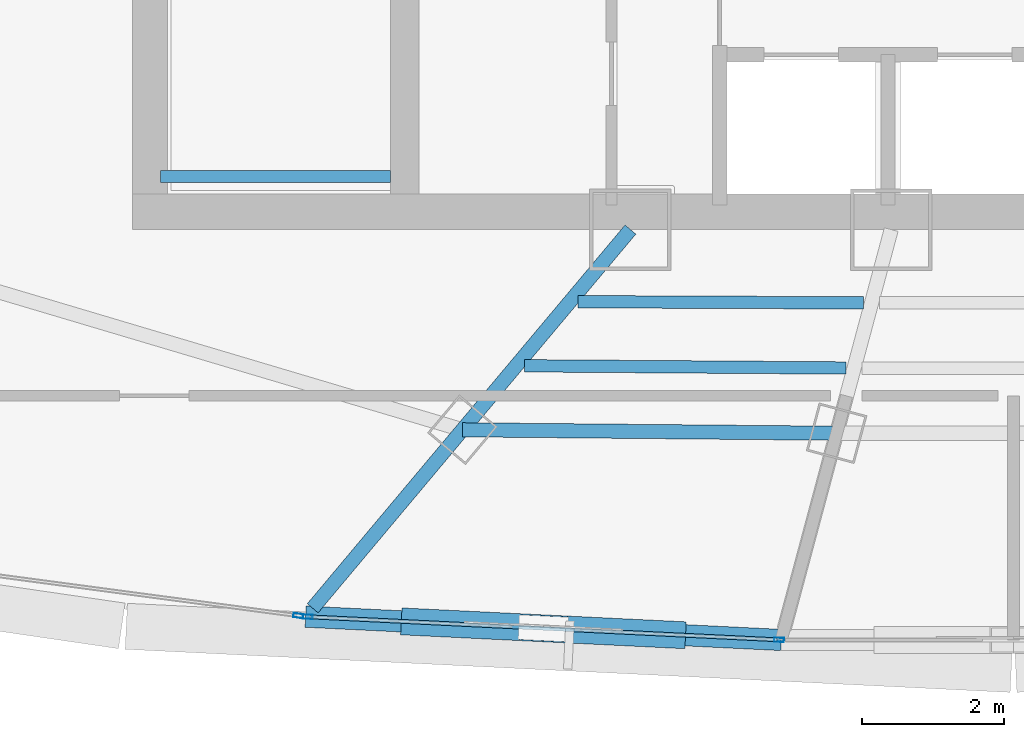
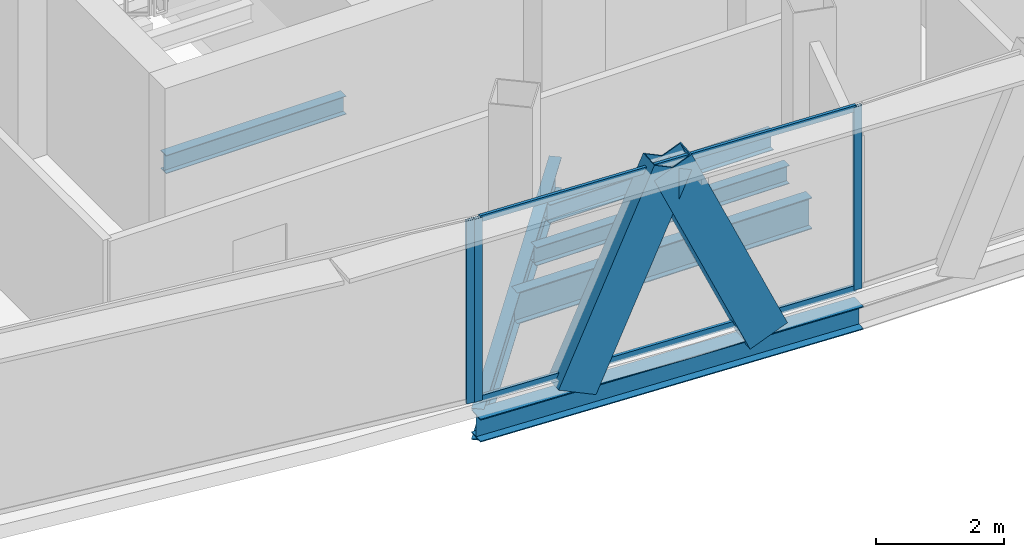
# One storey, part 4 of 26: 7 members, 6 beams, 2 elements without a shape of their own.
"""IFC4 building model written with IfcOpenShell, lengths in metres."""

from ifc_helpers import new_model, si_unit, direction, frame, origin, origin_2d, place, context, subcontext, project, spatial, hollow_rectangle, i_section, extrude, source, transform, mapped, material, layer, layer_set, material_profile, profile_set, type_object, element, aggregate, save


model = new_model("IFC4")

# Units and contexts
model_context = context("Model", 3, precision=1e-05, world=origin(), true_north=direction((0.0, 1.0)))
body_context = subcontext(model_context, "Body", "Model", "MODEL_VIEW")
ifc_project = project(units=[si_unit("LENGTHUNIT", "METRE"), si_unit("AREAUNIT", "SQUARE_METRE"), si_unit("VOLUMEUNIT", "CUBIC_METRE"), si_unit("PLANEANGLEUNIT", "RADIAN"), si_unit("MASSUNIT", "GRAM", prefix="KILO"), si_unit("THERMODYNAMICTEMPERATUREUNIT", "KELVIN"), si_unit("POWERUNIT", "WATT")], contexts=[model_context])

# Site, building, storey
site_placement = place(None, origin())
site = spatial("IfcSite", under=ifc_project, at=site_placement, CompositionType="ELEMENT")
building_placement = place(site_placement, origin())
building = spatial("IfcBuilding", under=site, at=building_placement, Name="Yunzhuo Pagoda Commons", CompositionType="ELEMENT")
storey_placement = place(building_placement, frame((0.0, 0.0, 340.510009765625)))
storey = spatial("IfcBuildingStorey", under=building, at=storey_placement, Name="L85", CompositionType="ELEMENT", Elevation=340.510009765625)

# Beams
ifc_material_1 = material(Name="Structural steel Q355B", Category="steel")
ifc_material_profile_1 = material_profile(ifc_material_1, i_section(OverallWidth=0.175048828125, OverallDepth=0.35009765625, WebThickness=0.007080078125, FlangeThickness=0.010986328125, at=origin_2d()), Name="Structural steel Q355B")
ifc_profile_set_1 = profile_set([ifc_material_profile_1], Name="Structural steel Q355B")
beam_type_1 = type_object("IfcBeamType", Name="B-JS2 Joist HN 350x175x7x11", PredefinedType="JOIST", material=ifc_profile_set_1)
shared_shape_1 = source(origin(), body_context, "Body", "SweptSolid", [
    extrude(i_section(OverallWidth=0.175048828125, OverallDepth=0.35009765625, WebThickness=0.007080078125, FlangeThickness=0.010986328125, at=origin_2d()), origin(), (0.0, 0.0, 1.0), 3.25),
])
beam_1_placement = place(storey_placement, frame((35.949951171875, 28.0, 1.5), z_axis=(1.0, 0.0, 0.0), x_axis=(0.0, 1.0, 0.0)))
element("IfcBeam", 1, at=beam_1_placement, inside=storey, type_object=beam_type_1, Name="L85 ST1 landing support beam 91A", PredefinedType="JOIST", context=body_context, shape_type="MappedRepresentation", body=[
    mapped(shared_shape_1, transform((0.0, 0.0, 0.0), scale=1.0)),
])
ifc_material_profile_2 = material_profile(ifc_material_1, i_section(OverallWidth=0.199951171875, OverallDepth=0.60009765625, WebThickness=0.010986328125, FlangeThickness=0.01708984375, at=origin_2d()), Name="Structural steel Q355B")
ifc_profile_set_2 = profile_set([ifc_material_profile_2], Name="Structural steel Q355B")
beam_type_2 = type_object("IfcBeamType", Name="B-RG3 Beam HN 600x200x11x17", PredefinedType="BEAM", material=ifc_profile_set_2)
shared_shape_2 = source(origin(), body_context, "Body", "SweptSolid", [
    extrude(i_section(OverallWidth=0.199951171875, OverallDepth=0.60009765625, WebThickness=0.010986328125, FlangeThickness=0.01708984375, at=origin_2d()), origin(), (0.0, 0.0, 1.0), 5.286376953125),
])
beam_2_placement = place(storey_placement, frame((40.214599609375, 24.421630859375, -0.56005859375), z_axis=(0.999957341442, -0.009236627946, 0.0), x_axis=(0.009236627946, 0.999957341442, 0.0)))
element("IfcBeam", 2, at=beam_2_placement, inside=storey, type_object=beam_type_2, Name="L85 column-ring beam 1", PredefinedType="BEAM", context=body_context, shape_type="MappedRepresentation", body=[
    mapped(shared_shape_2, transform((0.0, 0.0, 0.0), scale=1.0)),
])
shared_shape_3 = source(origin(), body_context, "Body", "SweptSolid", [
    extrude(i_section(OverallWidth=0.175048828125, OverallDepth=0.35009765625, WebThickness=0.007080078125, FlangeThickness=0.010986328125, at=origin_2d()), origin(), (0.0, 0.0, 1.0), 4.03076171875),
])
beam_3_placement = place(storey_placement, frame((41.848388671875, 26.231201171875, -0.43505859375), z_axis=(0.999991518197, -0.004118680996, 0.0), x_axis=(0.004118680996, 0.999991518197, 0.0)))
element("IfcBeam", 3, at=beam_3_placement, inside=storey, type_object=beam_type_1, Name="L85 composite ring joist 1.1", PredefinedType="JOIST", context=body_context, shape_type="MappedRepresentation", body=[
    mapped(shared_shape_3, transform((0.0, 0.0, 0.0), scale=1.0)),
])
shared_shape_4 = source(origin(), body_context, "Body", "SweptSolid", [
    extrude(i_section(OverallWidth=0.175048828125, OverallDepth=0.35009765625, WebThickness=0.007080078125, FlangeThickness=0.010986328125, at=origin_2d()), origin(), (0.0, 0.0, 1.0), 4.54345703125),
])
beam_4_placement = place(storey_placement, frame((41.089111328125, 25.325927734375, -0.43505859375), z_axis=(0.999975976237, -0.006931590593, 0.0), x_axis=(0.006931590593, 0.999975976237, 0.0)))
element("IfcBeam", 4, at=beam_4_placement, inside=storey, type_object=beam_type_1, Name="L85 composite ring joist 2.1", PredefinedType="JOIST", context=body_context, shape_type="MappedRepresentation", body=[
    mapped(shared_shape_4, transform((0.0, 0.0, 0.0), scale=1.0)),
])
shared_shape_5 = source(origin(), body_context, "Body", "SweptSolid", [
    extrude(i_section(OverallWidth=0.199951171875, OverallDepth=0.60009765625, WebThickness=0.010986328125, FlangeThickness=0.01708984375, at=origin_2d()), origin(), (0.0, 0.0, 1.0), 6.983642578125),
])
beam_5_placement = place(storey_placement, frame((38.098876953125, 21.900390625, -0.56005859375), z_axis=(0.642800921459, 0.766033273019, 0.0), x_axis=(-0.766033273019, 0.642800921459, 0.0)))
element("IfcBeam", 5, at=beam_5_placement, inside=storey, type_object=beam_type_2, Name="L85 radial floor girder F1C1", PredefinedType="BEAM", context=body_context, shape_type="MappedRepresentation", body=[
    mapped(shared_shape_5, transform((0.0, 0.0, 0.0), scale=1.0)),
])
ifc_material_profile_3 = material_profile(ifc_material_1, i_section(OverallWidth=0.300048828125, OverallDepth=0.43994140625, WebThickness=0.010986328125, FlangeThickness=0.01806640625, at=origin_2d()), Name="Structural steel Q355B")
ifc_profile_set_3 = profile_set([ifc_material_profile_3], Name="Structural steel Q355B")
beam_type_3 = type_object("IfcBeamType", Name="B-SP2 Beam HM 440x300x11x18", PredefinedType="BEAM", material=ifc_profile_set_3)
shared_shape_6 = source(origin(), body_context, "Body", "SweptSolid", [
    extrude(i_section(OverallWidth=0.300048828125, OverallDepth=0.43994140625, WebThickness=0.010986328125, FlangeThickness=0.01806640625, at=origin_2d()), origin(), (0.0, 0.0, 1.0), 6.727294921875),
])
beam_6_placement = place(storey_placement, frame((37.9990234375, 21.781494140625, -0.47998046875), z_axis=(0.998802682638, -0.048920355214, 0.0), x_axis=(0.048920355214, 0.998802682638, 0.0)))
element("IfcBeam", 6, at=beam_6_placement, inside=storey, type_object=beam_type_3, Name="L85 facade edge spandrel beam F1.1", PredefinedType="BEAM", context=body_context, shape_type="MappedRepresentation", body=[
    mapped(shared_shape_6, transform((0.0, 0.0, 0.0), scale=1.0)),
])

# Members
ifc_material_profile_4 = material_profile(ifc_material_1, hollow_rectangle(XDim=0.3798828125, YDim=0.719970703125, WallThickness=0.02001953125, at=origin_2d()), Name="Structural steel Q355B")
ifc_profile_set_4 = profile_set([ifc_material_profile_4], Name="Structural steel Q355B")
member_type_1 = type_object("IfcMemberType", Name="M-DL3 Brace BOX 720x380x20", PredefinedType="BRACE", material=ifc_profile_set_4)
shared_shape_7 = source(origin(), body_context, "Body", "SweptSolid", [
    extrude(hollow_rectangle(XDim=0.3798828125, YDim=0.719970703125, WallThickness=0.02001953125, at=origin_2d()), origin(), (0.0, 0.0, 1.0), 4.10986328125),
])
for number, where, z_axis, x_axis, name in (
    (7, (39.678955078125, 21.69921875, -0.260009765625), (0.408701002584, -0.020019220621, 0.912448749954), (0.048923901963, 0.998802508916, 0.0), "L85 facade diamond brace F1.1L"),
    (8, (43.03857421875, 21.53466796875, -0.260009765625), (-0.408750482324, 0.020018734565, 0.912426596207), (-0.048916808978, -0.998802856323, 0.0), "L85 facade diamond brace F1.1R"),
):
    element("IfcMember", number, at=place(storey_placement, frame(where, z_axis=z_axis, x_axis=x_axis)), inside=storey, type_object=member_type_1, Name=name, PredefinedType="BRACE", context=body_context, shape_type="MappedRepresentation", body=[
        mapped(shared_shape_7, transform((0.0, 0.0, 0.0), scale=1.0)),
    ])

# Curtain wall, members
ifc_material_2 = material(Name="Anodized aluminium 6063-T6", Category="aluminium")
ifc_layer = layer(ifc_material_2, 0.139892578125)
ifc_layer_set = layer_set([ifc_layer], Name="Anodized aluminium 6063-T6")
curtain_wall_type = type_object("IfcCurtainWallType", Name="CW-HI High-Zone Ribbon Curtain Wall", PredefinedType="NOTDEFINED", material=ifc_layer_set)
curtain_wall_1_placement = place(storey_placement, origin())
curtain_wall_1 = element("IfcCurtainWall", 9, at=curtain_wall_1_placement, inside=storey, type_object=curtain_wall_type, Name="L85 curtain wall CW-L85-F1B2", PredefinedType="NOTDEFINED")
ifc_material_profile_5 = material_profile(ifc_material_2, hollow_rectangle(XDim=0.06005859375, YDim=0.139892578125, WallThickness=0.00341796875, at=origin_2d()), Name="Anodized aluminium 6063-T6")
ifc_profile_set_5 = profile_set([ifc_material_profile_5], Name="Anodized aluminium 6063-T6")
member_type_2 = type_object("IfcMemberType", Name="CW-HI-M Mullion RHS 140x60x3.5", PredefinedType="MULLION", material=ifc_profile_set_5)
shared_shape_8 = source(origin(), body_context, "Body", "SweptSolid", [
    extrude(hollow_rectangle(XDim=0.06005859375, YDim=0.139892578125, WallThickness=0.00341796875, at=origin_2d()), origin(), (0.0, 0.0, 1.0), 3.489990234375),
])
member_1_placement = place(storey_placement, frame((38.029052734375, 21.780029296875, 0.0), z_axis=(0.0, 0.0, 1.0), x_axis=(0.048905572213, 0.998803406585, 0.0)))
member_1 = element("IfcMember", 10, at=member_1_placement, type_object=member_type_2, Name="CW mullion 1", PredefinedType="MULLION", context=body_context, shape_type="MappedRepresentation", body=[
    mapped(shared_shape_8, transform((0.0, 0.0, 0.0), scale=1.0)),
])
member_2_placement = place(storey_placement, frame((44.688232421875, 21.453857421875, 0.0), z_axis=(0.0, 0.0, 1.0), x_axis=(0.048905572213, 0.998803406585, 0.0)))
member_2 = element("IfcMember", 11, at=member_2_placement, type_object=member_type_2, Name="CW mullion 2", PredefinedType="MULLION", context=body_context, shape_type="MappedRepresentation", body=[
    mapped(shared_shape_8, transform((0.0, 0.0, 0.0), scale=1.0)),
])

# Curtain wall, member
curtain_wall_2_placement = place(storey_placement, origin())
curtain_wall_2 = element("IfcCurtainWall", 12, at=curtain_wall_2_placement, inside=storey, type_object=curtain_wall_type, Name="L85 curtain wall CW-L85-F1B1", PredefinedType="NOTDEFINED")
member_3_placement = place(storey_placement, frame((37.895263671875, 21.795166015625, 0.0), z_axis=(0.0, 0.0, 1.0), x_axis=(0.132068741636, 0.991240559845, 0.0)))
member_3 = element("IfcMember", 13, at=member_3_placement, type_object=member_type_2, Name="CW mullion 2", PredefinedType="MULLION", context=body_context, shape_type="MappedRepresentation", body=[
    mapped(shared_shape_8, transform((0.0, 0.0, 0.0), scale=1.0)),
])
aggregate(curtain_wall_2, [member_3])

# Member
ifc_material_profile_6 = material_profile(ifc_material_2, hollow_rectangle(XDim=0.054931640625, YDim=0.1201171875, WallThickness=0.00341796875, at=origin_2d()), Name="Anodized aluminium 6063-T6")
ifc_profile_set_6 = profile_set([ifc_material_profile_6], Name="Anodized aluminium 6063-T6")
member_type_3 = type_object("IfcMemberType", Name="CW-HI-T Transom RHS 120x55x3.5", PredefinedType="USERDEFINED", material=ifc_profile_set_6)
shared_shape_9 = source(origin(), body_context, "Body", "SweptSolid", [
    extrude(hollow_rectangle(XDim=0.054931640625, YDim=0.1201171875, WallThickness=0.00341796875, at=origin_2d()), origin(), (0.0, 0.0, 1.0), 6.607177734375),
])
member_4_placement = place(storey_placement, frame((38.05908203125, 21.77880859375, 0.027587890625), z_axis=(0.998800788533, -0.048959011683, 0.0), x_axis=(0.048959011683, 0.998800788533, 0.0)))
member_4 = element("IfcMember", 14, at=member_4_placement, type_object=member_type_3, Name="CW transom 1.1", ObjectType="TRANSOM", PredefinedType="USERDEFINED", context=body_context, shape_type="MappedRepresentation", body=[
    mapped(shared_shape_9, transform((0.0, 0.0, 0.0), scale=1.0)),
])

member_5_placement = place(storey_placement, frame((38.05908203125, 21.77880859375, 3.46240234375), z_axis=(0.998800788533, -0.048959011683, 0.0), x_axis=(0.048959011683, 0.998800788533, 0.0)))
member_5 = element("IfcMember", 15, at=member_5_placement, type_object=member_type_3, Name="CW transom 1.2", ObjectType="TRANSOM", PredefinedType="USERDEFINED", context=body_context, shape_type="MappedRepresentation", body=[
    mapped(shared_shape_9, transform((0.0, 0.0, 0.0), scale=1.0)),
])

aggregate(curtain_wall_1, [member_1, member_2, member_4, member_5])

save(model, "model.ifc")
